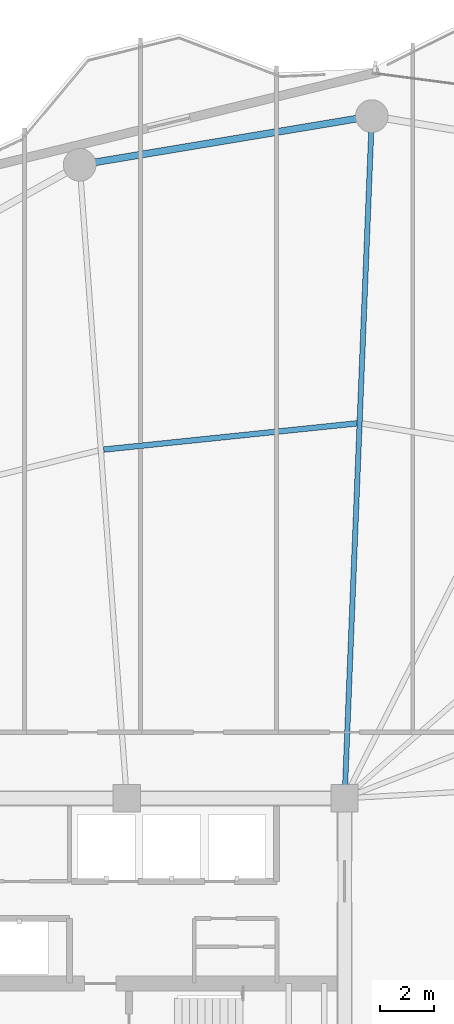
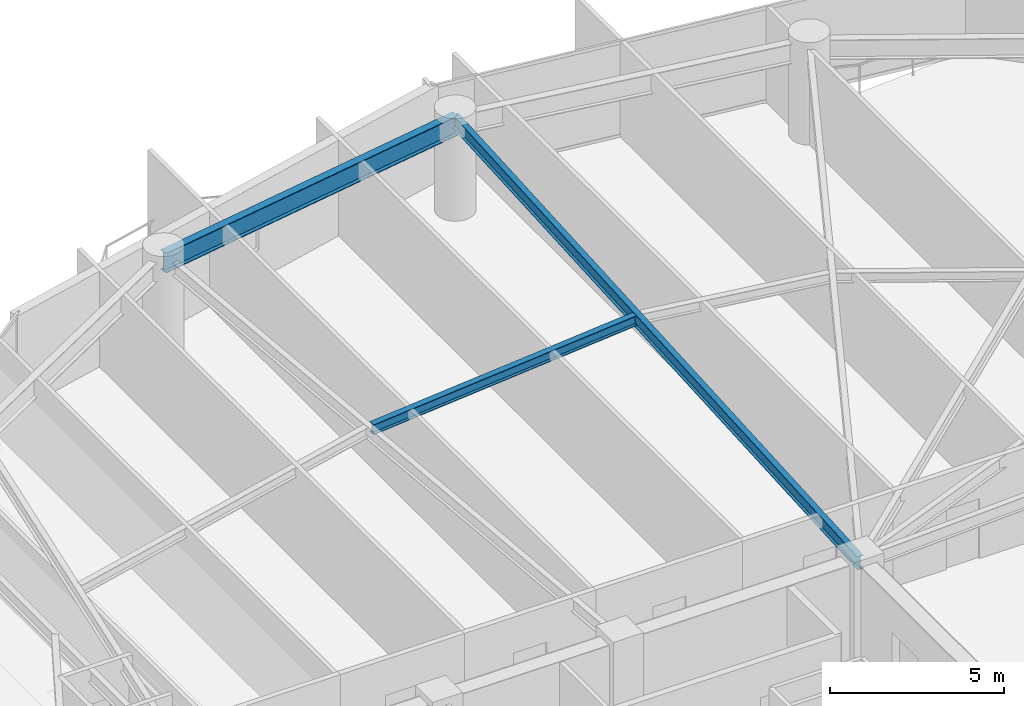
# One storey, part 19 of 30: 3 beams.
"""IFC4 building model written with IfcOpenShell, lengths in metres."""

import ifcopenshell
import ifcopenshell.guid

model = None  # the IFC model being written
_history = None  # IfcOwnerHistory: only IFC2X3 demands one
_inside = {}  # id of a spatial element -> (the spatial element, [elements in it])
_under = {}  # id of a project, library or spatial element -> (it, [spatial elements below it])
_declared = {}  # id of a project -> (the project, [libraries it declares])
_typed = {}  # id of a type object -> (the type object, [elements of that type])
_made_of = {}  # id of a material, layer set ... -> (it, [elements and type objects made of it])


def new_model(schema):
    """Start an empty IFC model of exactly this schema.

    Asked for "IFC4X3", IfcOpenShell would pick the latest addendum, in which some entities
    have other attributes; the version numbers below select the first issue.
    IFC2X3 requires an IfcOwnerHistory on every rooted entity: one is made here for all.
    """
    global model, _history
    if schema == "IFC4X3":
        model = ifcopenshell.file(schema_version=(4, 3, 0, 0))
    else:
        model = ifcopenshell.file(schema=schema)
    _inside.clear()
    _under.clear()
    _declared.clear()
    _typed.clear()
    _made_of.clear()
    _history = None
    if model.schema == "IFC2X3":
        org = make("IfcOrganization", Name="unknown")
        user = make(
            "IfcPersonAndOrganization",
            ThePerson=make("IfcPerson", FamilyName="unknown"),
            TheOrganization=org,
        )
        app = make(
            "IfcApplication",
            ApplicationDeveloper=org,
            Version="unknown",
            ApplicationFullName="unknown",
            ApplicationIdentifier="unknown",
        )
        _history = make(
            "IfcOwnerHistory",
            OwningUser=user,
            OwningApplication=app,
            ChangeAction="ADDED",
            CreationDate=0,
        )
    return model


def make(cls, **values):
    """One entity of the class cls with the attributes given. An attribute that is None is left unset."""
    return model.create_entity(
        cls, **{name: value for name, value in values.items() if value is not None}
    )


def rooted(cls, **values):
    """An entity with a GlobalId (a new one), such as an element, a storey or a relation."""
    return make(cls, GlobalId=ifcopenshell.guid.new(), OwnerHistory=_history, **values)


def si_unit(unit_type, name, prefix=None):
    """IfcSIUnit, for example si_unit("LENGTHUNIT", "METRE", prefix="MILLI")."""
    return make("IfcSIUnit", UnitType=unit_type, Prefix=prefix, Name=name)


def assignment(units):
    """IfcUnitAssignment: the units of a project."""
    return None if units is None else make("IfcUnitAssignment", Units=units)


def point(xyz):
    """IfcCartesianPoint."""
    return None if xyz is None else make("IfcCartesianPoint", Coordinates=xyz)


def direction(xyz):
    """IfcDirection."""
    return None if xyz is None else make("IfcDirection", DirectionRatios=xyz)


def frame(location, z_axis=None, x_axis=None):
    """IfcAxis2Placement3D, a coordinate frame: its origin and axes. An axis left out is left unset."""
    return make(
        "IfcAxis2Placement3D",
        Location=point(location),
        Axis=direction(z_axis),
        RefDirection=direction(x_axis),
    )


def frame_2d(location, x_axis=None):
    """IfcAxis2Placement2D, a coordinate frame in the plane: its origin and x axis."""
    return make(
        "IfcAxis2Placement2D", Location=point(location), RefDirection=direction(x_axis)
    )


def origin():
    """The frame at (0, 0, 0) with its axes left unset."""
    return frame((0.0, 0.0, 0.0))


def origin_2d():
    """The frame at (0, 0) in the plane with its x axis left unset."""
    return frame_2d((0.0, 0.0))


def place(relative_to, where):
    """IfcLocalPlacement: puts the frame where relative to a parent placement (None: the world)."""
    return make(
        "IfcLocalPlacement", PlacementRelTo=relative_to, RelativePlacement=where
    )


def context(
    kind, dimensions, precision=None, world=None, true_north=None, identifier=None
):
    """IfcGeometricRepresentationContext, for example the 3D "Model" context."""
    return make(
        "IfcGeometricRepresentationContext",
        ContextIdentifier=identifier,
        ContextType=kind,
        CoordinateSpaceDimension=dimensions,
        Precision=precision,
        WorldCoordinateSystem=world,
        TrueNorth=true_north,
    )


def subcontext(parent, identifier, kind, view, scale=None):
    """IfcGeometricRepresentationSubContext, for example "Body" below "Model"."""
    return make(
        "IfcGeometricRepresentationSubContext",
        ContextIdentifier=identifier,
        ContextType=kind,
        ParentContext=parent,
        TargetScale=scale,
        TargetView=view,
    )


def project(units=None, contexts=None):
    """IfcProject with its units and contexts."""
    return rooted(
        "IfcProject",
        Name="project",
        RepresentationContexts=contexts,
        UnitsInContext=assignment(units),
    )


def spatial(cls, under=None, at=None, **own):
    """A site, building, storey or space (cls), placed at a placement, below another one or the project."""
    s = rooted(cls, ObjectPlacement=at, **own)
    if under is not None:
        _under.setdefault(under.id(), (under, []))[1].append(s)
    return s


def profile(cls, at=None, kind="AREA", **sizes):
    """A parametric profile (cls). Its sizes go by their IFC names, for example OverallWidth=200.0."""
    return make(cls, ProfileType=kind, Position=at, **sizes)


def i_section(**sizes):
    """IfcIShapeProfileDef."""
    return profile("IfcIShapeProfileDef", **sizes)


def extrude(swept, where, along, depth):
    """IfcExtrudedAreaSolid: the profile swept, set in the frame where, extruded along a direction by depth."""
    return make(
        "IfcExtrudedAreaSolid",
        SweptArea=swept,
        Position=where,
        ExtrudedDirection=direction(along),
        Depth=depth,
    )


def shape(context_of_items, identifier, shape_type, items):
    """IfcShapeRepresentation: the items that make up one representation, for example the "Body"."""
    return make(
        "IfcShapeRepresentation",
        ContextOfItems=context_of_items,
        RepresentationIdentifier=identifier,
        RepresentationType=shape_type,
        Items=items,
    )


def material(Name=None, Category=None):
    """IfcMaterial."""
    return make("IfcMaterial", Name=Name, Category=Category)


def material_profile(
    of_material, cross_section, Name=None, Category=None, Priority=None
):
    """IfcMaterialProfile: a cross section and its material."""
    return make(
        "IfcMaterialProfile",
        Name=Name,
        Material=of_material,
        Profile=cross_section,
        Priority=Priority,
        Category=Category,
    )


def profile_set(profiles, Name=None, composite=None):
    """IfcMaterialProfileSet."""
    return make(
        "IfcMaterialProfileSet",
        Name=Name,
        MaterialProfiles=profiles,
        CompositeProfile=composite,
    )


def made_of(thing, what):
    """Note that an element or type object is made of a material, layer set ...; save() writes the relation."""
    if what is not None:
        _made_of.setdefault(what.id(), (what, []))[1].append(thing)
    return thing


def type_object(cls, material=None, **own):
    """A type object (cls), such as IfcWallType, which elements share."""
    return made_of(rooted(cls, **own), material)


def element(
    cls,
    number,
    at=None,
    inside=None,
    cuts=None,
    type_object=None,
    material=None,
    context=None,
    identifier="Body",
    shape_type=None,
    held_by="IfcProductDefinitionShape",
    body=None,
    shapes=None,
    **own,
):
    """One element of the class cls, such as IfcWall. Its Tag is "e" and its number.

    at: its placement. inside: the storey or other place that contains it. cuts: it is an
    opening in that element (IfcRelVoidsElement). A single representation is given by context,
    identifier, shape_type and body (its items); several are given by shapes. held_by: the class
    of the entity that holds the representations. save() writes the other relations.
    """
    e = rooted(cls, Tag="e%d" % number, ObjectPlacement=at, **own)
    if body is not None:
        shapes = [shape(context, identifier, shape_type, body)]
    if shapes is not None:
        e.Representation = make(held_by, Representations=shapes)
    if inside is not None:
        _inside.setdefault(inside.id(), (inside, []))[1].append(e)
    if cuts is not None:
        rooted(
            "IfcRelVoidsElement", RelatingBuildingElement=cuts, RelatedOpeningElement=e
        )
    if type_object is not None:
        _typed.setdefault(type_object.id(), (type_object, []))[1].append(e)
    return made_of(e, material)


def aggregate(whole, parts):
    """IfcRelAggregates: a whole, such as a stair, and the parts it consists of."""
    return rooted("IfcRelAggregates", RelatingObject=whole, RelatedObjects=parts)


def save(model, path):
    """Write the relations noted so far, then the file.

    IfcRelAggregates (storeys below a building ...), IfcRelContainedInSpatialStructure (elements
    in a storey), IfcRelDefinesByType, IfcRelAssociatesMaterial and IfcRelDeclares: one each for
    every whole, place, type object, material and project.
    """
    for whole, parts in _under.values():
        aggregate(whole, parts)
    for where, things in _inside.values():
        rooted(
            "IfcRelContainedInSpatialStructure",
            RelatedElements=things,
            RelatingStructure=where,
        )
    for kind, things in _typed.values():
        rooted("IfcRelDefinesByType", RelatedObjects=things, RelatingType=kind)
    for what, things in _made_of.values():
        rooted("IfcRelAssociatesMaterial", RelatedObjects=things, RelatingMaterial=what)
    for by, libraries in _declared.values():
        rooted("IfcRelDeclares", RelatingContext=by, RelatedDefinitions=libraries)
    model.write(path)


model = new_model("IFC4")

# Units and contexts
model_context = context("Model", 3, precision=1e-05, world=origin(), true_north=direction((0.0, 1.0)))
body_context = subcontext(model_context, "Body", "Model", "MODEL_VIEW")
ifc_project = project(units=[si_unit("LENGTHUNIT", "METRE"), si_unit("AREAUNIT", "SQUARE_METRE"), si_unit("VOLUMEUNIT", "CUBIC_METRE"), si_unit("PLANEANGLEUNIT", "RADIAN"), si_unit("MASSUNIT", "GRAM", prefix="KILO")], contexts=[model_context])

# Site, building, storey
site_placement = place(None, origin())
site = spatial("IfcSite", under=ifc_project, at=site_placement, CompositionType="ELEMENT")
building_placement = place(site_placement, origin())
building = spatial("IfcBuilding", under=site, at=building_placement, Name="Kazevale Care Tower and Concert Hall", CompositionType="ELEMENT")
storey_placement = place(building_placement, frame((0.0, 0.0, 113.39990234375)))
storey = spatial("IfcBuildingStorey", under=building, at=storey_placement, Name="L29", CompositionType="ELEMENT", Elevation=113.39990234375)

# Beams
ifc_material = material(Name="Steel ASTM A572 Gr 50", Category="steel")
ifc_material_profile_1 = material_profile(ifc_material, i_section(OverallWidth=0.19091796875, OverallDepth=0.4599609375, WebThickness=0.010009765625, FlangeThickness=0.01611328125, at=origin_2d()), Name="W460x82")
ifc_profile_set_1 = profile_set([ifc_material_profile_1], Name="Steel ASTM A572 Gr 50")
beam_type_1 = type_object("IfcBeamType", Name="Radial Floor Beam W460x82", PredefinedType="BEAM", material=ifc_profile_set_1)
beam_1_placement = place(storey_placement, frame((44.0, 36.39990234375, 3.130126953125), z_axis=(0.039888311255, 0.99920414462, 0.0), x_axis=(-0.99920414462, 0.039888311255, 0.0)))
element("IfcBeam", 1, at=beam_1_placement, inside=storey, type_object=beam_type_1, Name="beam:L29:rad:05", PredefinedType="BEAM", context=body_context, shape_type="SweptSolid", body=[
    extrude(i_section(OverallWidth=0.19091796875, OverallDepth=0.4599609375, WebThickness=0.010009765625, FlangeThickness=0.01611328125, at=origin_2d()), origin(), (0.0, 0.0, 1.0), 25.070068359375),
])
ifc_material_profile_2 = material_profile(ifc_material, i_section(OverallWidth=0.205078125, OverallDepth=0.35400390625, WebThickness=0.009521484375, FlangeThickness=0.016845703125, at=origin_2d()), Name="W360x79")
ifc_profile_set_2 = profile_set([ifc_material_profile_2], Name="Steel ASTM A572 Gr 50")
beam_type_2 = type_object("IfcBeamType", Name="Secondary Floor Joist W360x79", PredefinedType="JOIST", material=ifc_profile_set_2)
beam_2_placement = place(storey_placement, frame((44.446044921875, 50.1669921875, 3.18310546875), z_axis=(-0.994674810104, -0.10306319491, 0.0), x_axis=(0.10306319491, -0.994674810104, 0.0)))
element("IfcBeam", 2, at=beam_2_placement, inside=storey, type_object=beam_type_2, Name="beam:L29:joist:05", PredefinedType="JOIST", context=body_context, shape_type="SweptSolid", body=[
    extrude(i_section(OverallWidth=0.205078125, OverallDepth=0.35400390625, WebThickness=0.009521484375, FlangeThickness=0.016845703125, at=origin_2d()), origin(), (0.0, 0.0, 1.0), 9.3427734375),
])
ifc_material_profile_3 = material_profile(ifc_material, i_section(OverallWidth=0.256103515625, OverallDepth=0.693115234375, WebThickness=0.014404296875, FlangeThickness=0.023681640625, at=origin_2d()), Name="W690x170")
ifc_profile_set_3 = profile_set([ifc_material_profile_3], Name="Steel ASTM A572 Gr 50")
beam_type_3 = type_object("IfcBeamType", Name="Waist Ring Beam W690x170", PredefinedType="BEAM", material=ifc_profile_set_3)
beam_3_placement = place(storey_placement, frame((45.0, 61.449951171875, 3.013671875), z_axis=(-0.986368436187, -0.164551840139, 0.0), x_axis=(0.164551840139, -0.986368436187, 0.0)))
element("IfcBeam", 3, at=beam_3_placement, inside=storey, type_object=beam_type_3, Name="beam:L29:ring:05", PredefinedType="BEAM", context=body_context, shape_type="SweptSolid", body=[
    extrude(i_section(OverallWidth=0.256103515625, OverallDepth=0.693115234375, WebThickness=0.014404296875, FlangeThickness=0.023681640625, at=origin_2d()), origin(), (0.0, 0.0, 1.0), 10.878173828125),
])

save(model, "model.ifc")
